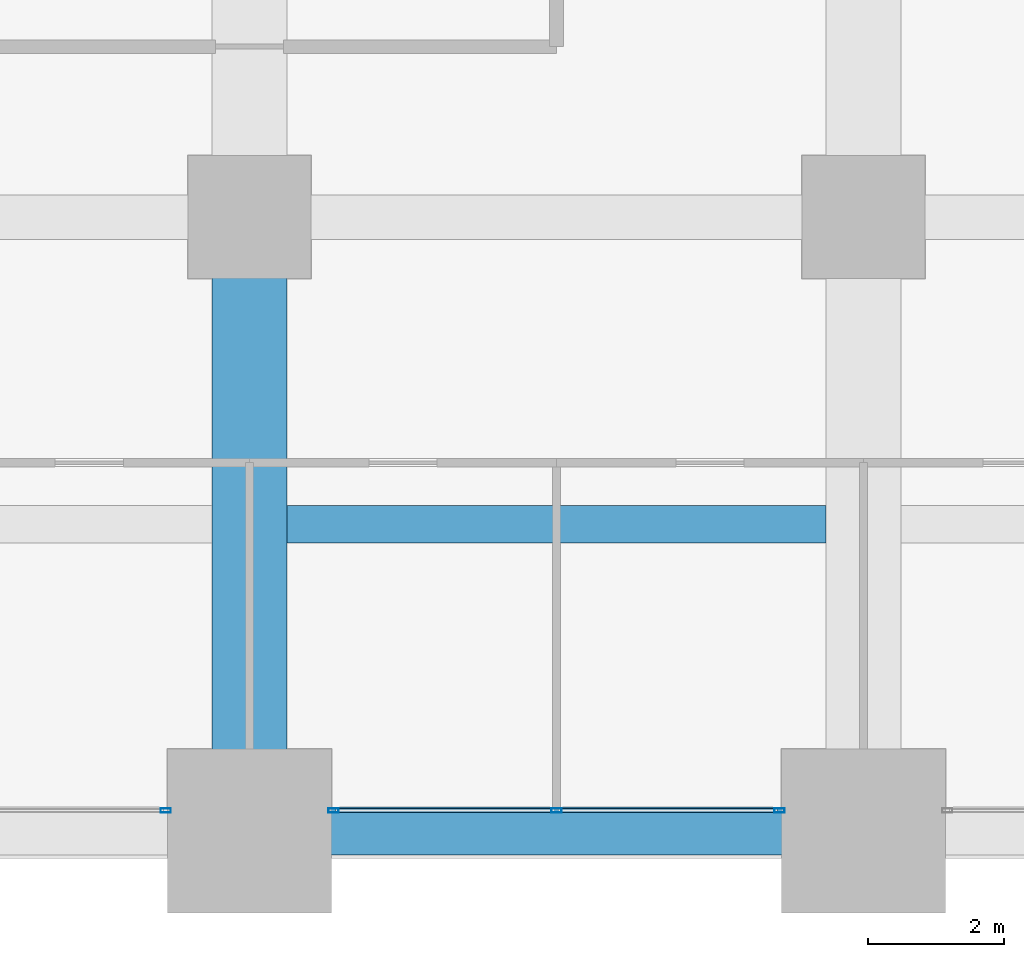
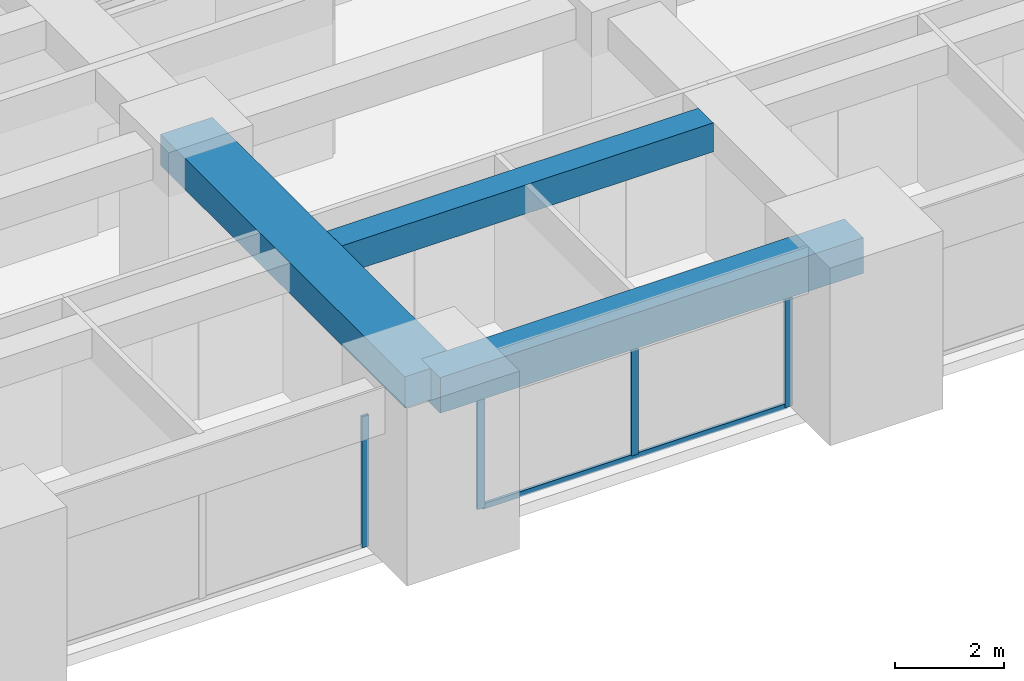
# One storey, part 6 of 40: 5 members, 3 beams, 2 elements without a shape of their own.
"""IFC4 building model written with IfcOpenShell, lengths in metres."""

from ifc_helpers import new_model, si_unit, direction, frame, origin, origin_2d, place, context, subcontext, project, spatial, rectangle, hollow_rectangle, extrude, material, material_profile, profile_set, type_object, element, aggregate, save


model = new_model("IFC4")

# Units and contexts
model_context = context("Model", 3, precision=1e-05, world=origin(), true_north=direction((0.0, 1.0)))
body_context = subcontext(model_context, "Body", "Model", "MODEL_VIEW")
ifc_project = project(units=[si_unit("LENGTHUNIT", "METRE"), si_unit("AREAUNIT", "SQUARE_METRE"), si_unit("VOLUMEUNIT", "CUBIC_METRE"), si_unit("PLANEANGLEUNIT", "RADIAN"), si_unit("MASSUNIT", "GRAM", prefix="KILO")], contexts=[model_context])

# Site, building, storey
site_placement = place(None, origin())
site = spatial("IfcSite", under=ifc_project, at=site_placement, CompositionType="ELEMENT")
building_placement = place(site_placement, origin())
building = spatial("IfcBuilding", under=site, at=building_placement, Name="Zorevar Civic Tower", CompositionType="ELEMENT")
storey_placement = place(building_placement, frame((0.0, 0.0, 133.0)))
storey = spatial("IfcBuildingStorey", under=building, at=storey_placement, Name="L32", CompositionType="ELEMENT", Elevation=133.0)

# Beams
ifc_material_1 = material(Name="Concrete C50/60", Category="concrete")
ifc_material_profile_1 = material_profile(ifc_material_1, rectangle(XDim=1.10009765625, YDim=0.699951171875, at=origin_2d()), Name="RC 1100x700")
ifc_profile_set_1 = profile_set([ifc_material_profile_1], Name="Concrete C50/60")
beam_type_1 = type_object("IfcBeamType", Name="Beam RC 1100x700", PredefinedType="BEAM", material=ifc_profile_set_1)
beam_1_placement = place(storey_placement, frame((18.0, 0.0, 3.39990234375), z_axis=(0.0, 1.0, 0.0), x_axis=(-1.0, 0.0, 0.0)))
element("IfcBeam", 1, at=beam_1_placement, inside=storey, type_object=beam_type_1, Name="Girder L33", PredefinedType="BEAM", context=body_context, shape_type="SweptSolid", body=[
    extrude(rectangle(XDim=1.10009765625, YDim=0.699951171875, at=origin_2d()), origin(), (0.0, 0.0, 1.0), 9.0),
])
ifc_material_2 = material(Name="Concrete C50/60", Category="concrete")
ifc_material_profile_2 = material_profile(ifc_material_2, rectangle(XDim=0.550048828125, YDim=0.64990234375, at=origin_2d()), Name="RC 550x650")
ifc_profile_set_2 = profile_set([ifc_material_profile_2], Name="Concrete C50/60")
beam_type_2 = type_object("IfcBeamType", Name="Beam RC 550x650", PredefinedType="BEAM", material=ifc_profile_set_2)
beam_2_placement = place(storey_placement, frame((18.550048828125, 4.5, 3.425048828125), z_axis=(1.0, 0.0, 0.0), x_axis=(0.0, 1.0, 0.0)))
element("IfcBeam", 2, at=beam_2_placement, inside=storey, type_object=beam_type_2, Name="Secondary beam L33", PredefinedType="BEAM", context=body_context, shape_type="SweptSolid", body=[
    extrude(rectangle(XDim=0.550048828125, YDim=0.64990234375, at=origin_2d()), origin(), (0.0, 0.0, 1.0), 7.89990234375),
])

# Curtain wall, member
ifc_material_3 = material(Name="Dark grey solar-control glass in black aluminium frame", Category="aluminium")
curtain_wall_type = type_object("IfcCurtainWallType", Name="Curtain wall CW3 mid zone", PredefinedType="NOTDEFINED", material=ifc_material_3)
curtain_wall_1_placement = place(storey_placement, origin())
curtain_wall_1 = element("IfcCurtainWall", 3, at=curtain_wall_1_placement, inside=storey, type_object=curtain_wall_type, Name="CW3 L32", PredefinedType="NOTDEFINED")
ifc_material_4 = material(Name="Aluminium, black anodised", Category="aluminium")
ifc_material_profile_3 = material_profile(ifc_material_4, hollow_rectangle(XDim=0.06005859375, YDim=0.14990234375, WallThickness=0.00390625, at=origin_2d()), Name="AL 150x60x4")
ifc_profile_set_3 = profile_set([ifc_material_profile_3], Name="Aluminium, black anodised")
member_type_1 = type_object("IfcMemberType", Name="CW3 mullion AL 150x60x4", PredefinedType="MULLION", material=ifc_profile_set_3)
member_1_placement = place(storey_placement, frame((16.77001953125, 0.300048828125, 0.0), z_axis=(0.0, 0.0, 1.0), x_axis=(0.0, 1.0, 0.0)))
member_1 = element("IfcMember", 4, at=member_1_placement, type_object=member_type_1, Name="CW3 mullion 3", PredefinedType="MULLION", context=body_context, shape_type="SweptSolid", body=[
    extrude(hollow_rectangle(XDim=0.06005859375, YDim=0.14990234375, WallThickness=0.00390625, at=origin_2d()), origin(), (0.0, 0.0, 1.0), 2.949951171875),
])
aggregate(curtain_wall_1, [member_1])

# Curtain wall, members
curtain_wall_2_placement = place(storey_placement, origin())
curtain_wall_2 = element("IfcCurtainWall", 5, at=curtain_wall_2_placement, inside=storey, type_object=curtain_wall_type, Name="CW3 L32", PredefinedType="NOTDEFINED")
member_2_placement = place(storey_placement, frame((19.22998046875, 0.300048828125, 0.0), z_axis=(0.0, 0.0, 1.0), x_axis=(0.0, 1.0, 0.0)))
member_2 = element("IfcMember", 6, at=member_2_placement, type_object=member_type_1, Name="CW3 mullion 1", PredefinedType="MULLION", context=body_context, shape_type="SweptSolid", body=[
    extrude(hollow_rectangle(XDim=0.06005859375, YDim=0.14990234375, WallThickness=0.00390625, at=origin_2d()), origin(), (0.0, 0.0, 1.0), 2.949951171875),
])
member_3_placement = place(storey_placement, frame((22.5, 0.300048828125, 0.06005859375), z_axis=(0.0, 0.0, 1.0), x_axis=(0.0, 1.0, 0.0)))
member_3 = element("IfcMember", 7, at=member_3_placement, type_object=member_type_1, Name="CW3 mullion 2", PredefinedType="MULLION", context=body_context, shape_type="SweptSolid", body=[
    extrude(hollow_rectangle(XDim=0.06005859375, YDim=0.14990234375, WallThickness=0.00390625, at=origin_2d()), origin(), (0.0, 0.0, 1.0), 2.889892578125),
])
member_4_placement = place(storey_placement, frame((25.77001953125, 0.300048828125, 0.0), z_axis=(0.0, 0.0, 1.0), x_axis=(0.0, 1.0, 0.0)))
member_4 = element("IfcMember", 8, at=member_4_placement, type_object=member_type_1, Name="CW3 mullion 3", PredefinedType="MULLION", context=body_context, shape_type="SweptSolid", body=[
    extrude(hollow_rectangle(XDim=0.06005859375, YDim=0.14990234375, WallThickness=0.00390625, at=origin_2d()), origin(), (0.0, 0.0, 1.0), 2.949951171875),
])
ifc_material_5 = material(Name="Aluminium, black anodised", Category="aluminium")
ifc_material_profile_4 = material_profile(ifc_material_5, hollow_rectangle(XDim=0.06005859375, YDim=0.1201171875, WallThickness=0.0029296875, at=origin_2d()), Name="AL 120x60x3")
ifc_profile_set_4 = profile_set([ifc_material_profile_4], Name="Aluminium, black anodised")
member_type_2 = type_object("IfcMemberType", Name="CW3 transom AL 120x60x3", PredefinedType="USERDEFINED", material=ifc_profile_set_4)
member_5_placement = place(storey_placement, frame((19.260009765625, 0.300048828125, 0.030029296875), z_axis=(1.0, 0.0, 0.0), x_axis=(0.0, 1.0, 0.0)))
member_5 = element("IfcMember", 9, at=member_5_placement, type_object=member_type_2, Name="CW3 sill transom", ObjectType="TRANSOM", PredefinedType="USERDEFINED", context=body_context, shape_type="SweptSolid", body=[
    extrude(hollow_rectangle(XDim=0.06005859375, YDim=0.1201171875, WallThickness=0.0029296875, at=origin_2d()), origin(), (0.0, 0.0, 1.0), 6.47998046875),
])
aggregate(curtain_wall_2, [member_2, member_3, member_4, member_5])

# Beam
ifc_material_6 = material(Name="Concrete C50/60", Category="concrete")
ifc_material_profile_5 = material_profile(ifc_material_6, rectangle(XDim=0.699951171875, YDim=0.800048828125, at=origin_2d()), Name="RC 700x800")
ifc_profile_set_5 = profile_set([ifc_material_profile_5], Name="Concrete C50/60")
beam_type_3 = type_object("IfcBeamType", Name="Edge beam RC 700x800", PredefinedType="SPANDREL", material=ifc_profile_set_5)
beam_3_placement = place(storey_placement, frame((18.0, 0.0, 3.35009765625), z_axis=(1.0, 0.0, 0.0), x_axis=(0.0, 1.0, 0.0)))
element("IfcBeam", 10, at=beam_3_placement, inside=storey, type_object=beam_type_3, Name="Edge beam L33", PredefinedType="SPANDREL", context=body_context, shape_type="SweptSolid", body=[
    extrude(rectangle(XDim=0.699951171875, YDim=0.800048828125, at=origin_2d()), origin(), (0.0, 0.0, 1.0), 9.0),
])

save(model, "model.ifc")
